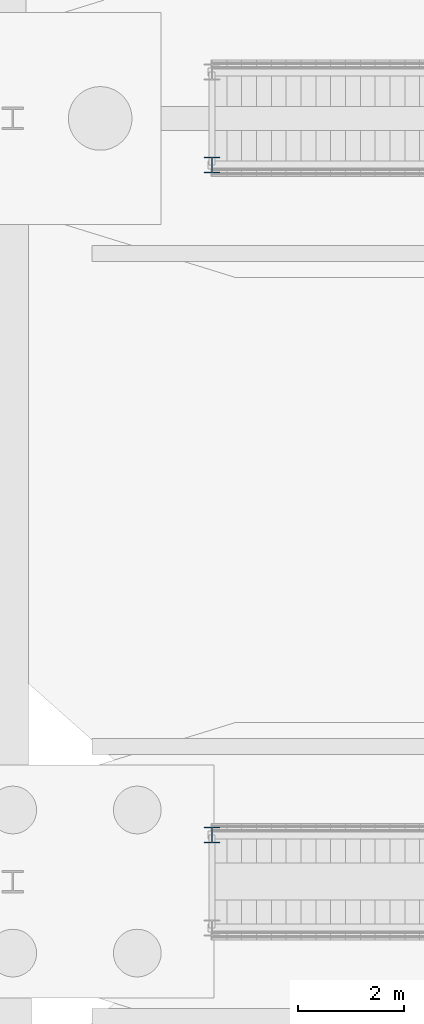
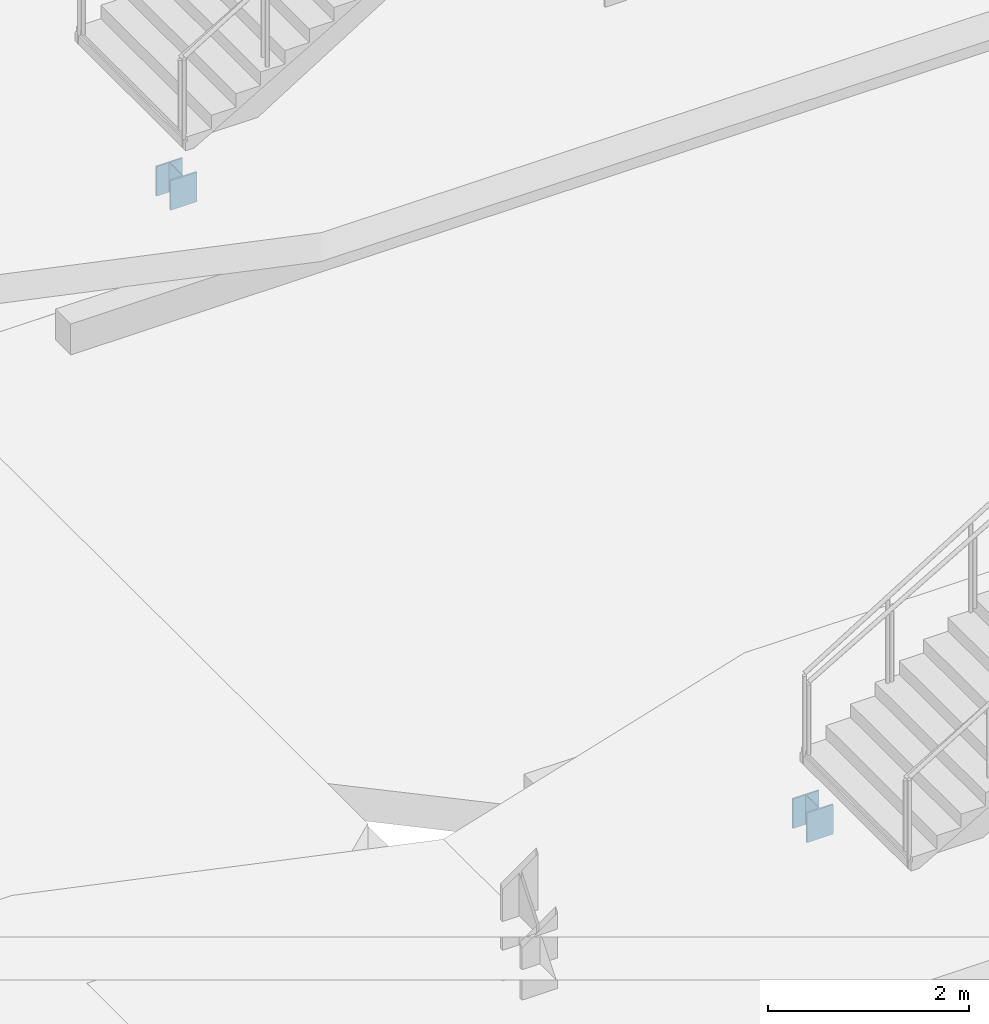
# One storey, part 34 of 115: 2 columns.
"""IFC4 building model written with IfcOpenShell, lengths in metres."""

from ifc_helpers import new_model, si_unit, direction, frame, origin, origin_2d, place, context, subcontext, project, spatial, i_section, extrude, material, material_profile, profile_set, type_object, element, save


model = new_model("IFC4")

# Units and contexts
model_context = context("Model", 3, precision=1e-05, world=origin(), true_north=direction((0.0, 1.0)))
body_context = subcontext(model_context, "Body", "Model", "MODEL_VIEW")
ifc_project = project(units=[si_unit("LENGTHUNIT", "METRE"), si_unit("AREAUNIT", "SQUARE_METRE"), si_unit("VOLUMEUNIT", "CUBIC_METRE"), si_unit("PLANEANGLEUNIT", "RADIAN"), si_unit("MASSUNIT", "GRAM", prefix="KILO")], contexts=[model_context])

# Site, building, storey
site_placement = place(None, origin())
site = spatial("IfcSite", under=ifc_project, at=site_placement, CompositionType="ELEMENT")
building_placement = place(site_placement, origin())
building = spatial("IfcBuilding", under=site, at=building_placement, Name="Tamarisk Ironworks Central Station", CompositionType="ELEMENT")
storey_placement = place(building_placement, origin())
storey = spatial("IfcBuildingStorey", under=building, at=storey_placement, Name="L00", CompositionType="ELEMENT", Elevation=0.0)

# Columns
ifc_material = material(Name="Structural steel S355J2", Category="steel")
ifc_material_profile = material_profile(ifc_material, i_section(OverallWidth=0.300048828125, OverallDepth=0.300048828125, WebThickness=0.010986328125, FlangeThickness=0.01904296875, at=origin_2d()), Name="HEB 300")
ifc_profile_set = profile_set([ifc_material_profile], Name="Structural steel S355J2")
column_type = type_object("IfcColumnType", Name="COL-S12", PredefinedType="COLUMN", material=ifc_profile_set)
for number, where, z_axis, x_axis, name in (
    (1, (57.760009765625, 51.280029296875, 0.0), (0.0, 0.0, 1.0), (1.0, 0.0, 0.0), "ST-P3A bottom stringer support post N"),
    (2, (57.760009765625, 63.919921875, 0.0), (0.0, 0.0, 1.0), (1.0, 0.0, 0.0), "ST-P4A bottom stringer support post S"),
):
    element("IfcColumn", number, at=place(storey_placement, frame(where, z_axis=z_axis, x_axis=x_axis)), inside=storey, type_object=column_type, Name=name, PredefinedType="COLUMN", context=body_context, shape_type="SweptSolid", body=[
        extrude(i_section(OverallWidth=0.300048828125, OverallDepth=0.300048828125, WebThickness=0.010986328125, FlangeThickness=0.01904296875, at=origin_2d()), origin(), (0.0, 0.0, 1.0), 0.360107421875),
    ])

save(model, "model.ifc")
